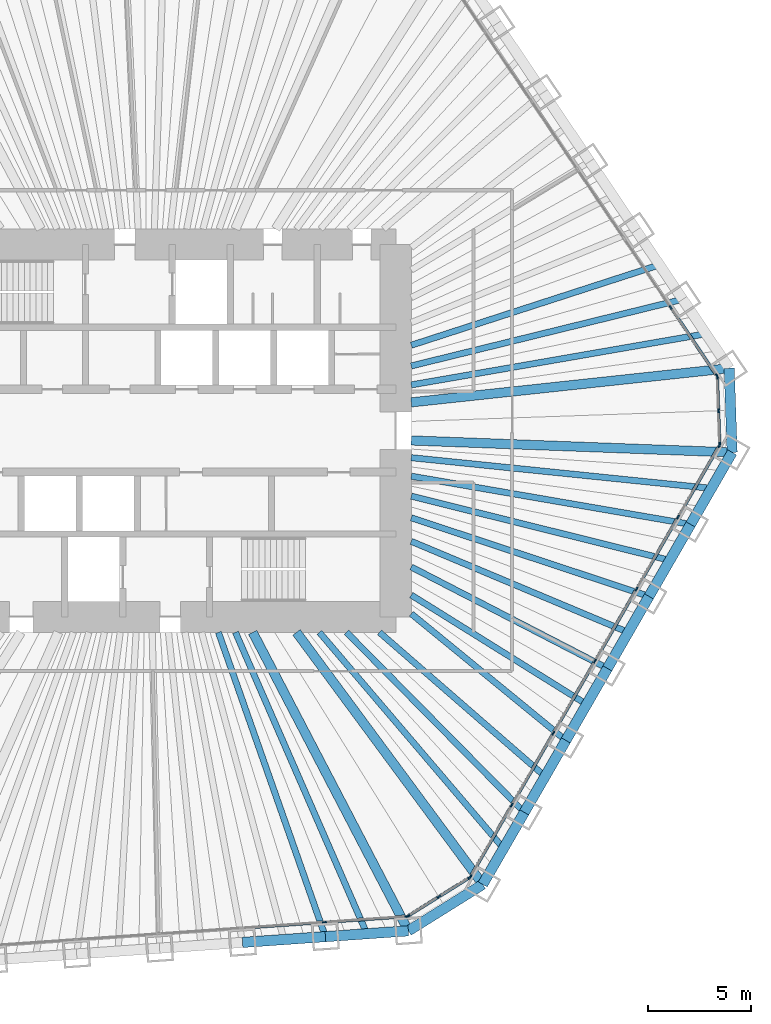
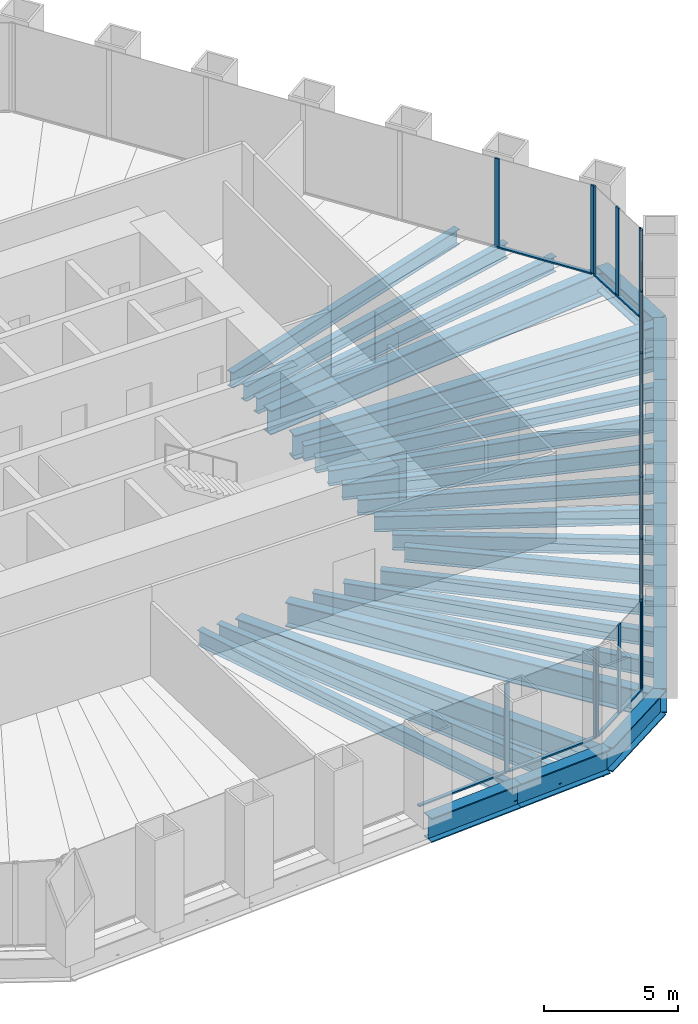
# One storey, part 4 of 13: 30 beams, 30 members, 5 elements without a shape of their own.
"""IFC4 building model written with IfcOpenShell, lengths in metres."""

from ifc_helpers import new_model, si_unit, direction, frame, origin, origin_2d, place, context, subcontext, project, spatial, rectangle, i_section, extrude, material, material_profile, profile_set, type_object, element, aggregate, save


model = new_model("IFC4")

# Units and contexts
model_context = context("Model", 3, precision=1e-05, world=origin(), true_north=direction((0.0, 1.0)))
body_context = subcontext(model_context, "Body", "Model", "MODEL_VIEW")
ifc_project = project(units=[si_unit("LENGTHUNIT", "METRE"), si_unit("AREAUNIT", "SQUARE_METRE"), si_unit("VOLUMEUNIT", "CUBIC_METRE"), si_unit("PLANEANGLEUNIT", "RADIAN"), si_unit("MASSUNIT", "GRAM", prefix="KILO")], contexts=[model_context])

# Site, building, storey
site_placement = place(None, origin())
site = spatial("IfcSite", under=ifc_project, at=site_placement, CompositionType="ELEMENT")
building_placement = place(site_placement, origin())
building = spatial("IfcBuilding", under=site, at=building_placement, Name="Qingtian Harvest Tower", CompositionType="ELEMENT")
storey_placement = place(building_placement, frame((0.0, 0.0, 136.60009765625)))
storey = spatial("IfcBuildingStorey", under=building, at=storey_placement, Name="L28", CompositionType="ELEMENT", Elevation=136.60009765625)

# Beams
ifc_material_1 = material(Name="Steel SM570MC", Category="steel")
ifc_material_profile_1 = material_profile(ifc_material_1, i_section(OverallWidth=0.449951171875, OverallDepth=1.10009765625, WebThickness=0.02197265625, FlangeThickness=0.044921875, at=origin_2d()), Name="H1100x450x22x45")
ifc_profile_set_1 = profile_set([ifc_material_profile_1], Name="Steel SM570MC")
beam_type_1 = type_object("IfcBeamType", Name="Corner floor beam FB8 H1100x450x22x45", PredefinedType="BEAM", material=ifc_profile_set_1)
beam_1_placement = place(storey_placement, frame((28.119384765625, 3.0185546875, -0.72021484375), z_axis=(-0.994287324052, -0.106736672374, 0.0), x_axis=(0.106736672374, -0.994287324052, 0.0)))
element("IfcBeam", 1, at=beam_1_placement, inside=storey, type_object=beam_type_1, Name="Floor beam FB8 NE6", PredefinedType="BEAM", context=body_context, shape_type="SweptSolid", body=[
    extrude(i_section(OverallWidth=0.449951171875, OverallDepth=1.10009765625, WebThickness=0.02197265625, FlangeThickness=0.044921875, at=origin_2d()), origin(), (0.0, 0.0, 1.0), 15.457763671875),
])
beam_2_placement = place(storey_placement, frame((28.261474609375, -1.049560546875, -0.72021484375), z_axis=(-0.999311425285, 0.03710357523, 0.0), x_axis=(-0.03710357523, -0.999311425285, 0.0)))
element("IfcBeam", 2, at=beam_2_placement, inside=storey, type_object=beam_type_1, Name="Floor beam FB8 SE0", PredefinedType="BEAM", context=body_context, shape_type="SweptSolid", body=[
    extrude(i_section(OverallWidth=0.449951171875, OverallDepth=1.10009765625, WebThickness=0.02197265625, FlangeThickness=0.044921875, at=origin_2d()), origin(), (0.0, 0.0, 1.0), 15.522216796875),
])
beam_3_placement = place(storey_placement, frame((16.204345703125, -21.933349609375, -0.72021484375), z_axis=(-0.594215666968, 0.804305751023, 0.0), x_axis=(-0.804305751023, -0.594215666968, 0.0)))
element("IfcBeam", 3, at=beam_3_placement, inside=storey, type_object=beam_type_1, Name="Floor beam FB8 SE6", PredefinedType="BEAM", context=body_context, shape_type="SweptSolid", body=[
    extrude(i_section(OverallWidth=0.449951171875, OverallDepth=1.10009765625, WebThickness=0.02197265625, FlangeThickness=0.044921875, at=origin_2d()), origin(), (0.0, 0.0, 1.0), 15.147705078125),
])
beam_4_placement = place(storey_placement, frame((12.610107421875, -24.17919921875, -0.72021484375), z_axis=(-0.462414751295, 0.886663745613, 0.0), x_axis=(-0.886663745613, -0.462414751295, 0.0)))
element("IfcBeam", 4, at=beam_4_placement, inside=storey, type_object=beam_type_1, Name="Floor beam FB8 S0", PredefinedType="BEAM", context=body_context, shape_type="SweptSolid", body=[
    extrude(i_section(OverallWidth=0.449951171875, OverallDepth=1.10009765625, WebThickness=0.02197265625, FlangeThickness=0.044921875, at=origin_2d()), origin(), (0.0, 0.0, 1.0), 16.273681640625),
])
ifc_material_2 = material(Name="Steel SN490B", Category="steel")
ifc_material_profile_2 = material_profile(ifc_material_2, i_section(OverallWidth=0.300048828125, OverallDepth=0.699951171875, WebThickness=0.012939453125, FlangeThickness=0.02392578125, at=origin_2d()), Name="H700x300x13x24")
ifc_profile_set_2 = profile_set([ifc_material_profile_2], Name="Steel SN490B")
beam_type_2 = type_object("IfcBeamType", Name="Floor beam FB2 H700x300x13x24", PredefinedType="BEAM", material=ifc_profile_set_2)
beam_5_placement = place(storey_placement, frame((25.8720703125, 6.3505859375, -0.52001953125), z_axis=(-0.971170997483, -0.2383839207, 0.0), x_axis=(0.2383839207, -0.971170997483, 0.0)))
element("IfcBeam", 5, at=beam_5_placement, inside=storey, type_object=beam_type_2, Name="Floor beam FB2 NE5", PredefinedType="BEAM", context=body_context, shape_type="SweptSolid", body=[
    extrude(i_section(OverallWidth=0.300048828125, OverallDepth=0.699951171875, WebThickness=0.012939453125, FlangeThickness=0.02392578125, at=origin_2d()), origin(), (0.0, 0.0, 1.0), 13.511474609375),
])
beam_6_placement = place(storey_placement, frame((26.251953125, -4.5302734375, -0.52001953125), z_axis=(-0.985433767107, 0.170059667895, 0.0), x_axis=(-0.170059667895, -0.985433767107, 0.0)))
element("IfcBeam", 6, at=beam_6_placement, inside=storey, type_object=beam_type_2, Name="Floor beam FB2 SE1", PredefinedType="BEAM", context=body_context, shape_type="SweptSolid", body=[
    extrude(i_section(OverallWidth=0.300048828125, OverallDepth=0.699951171875, WebThickness=0.012939453125, FlangeThickness=0.02392578125, at=origin_2d()), origin(), (0.0, 0.0, 1.0), 13.701416015625),
])
beam_7_placement = place(storey_placement, frame((24.242431640625, -8.010986328125, -0.52001953125), z_axis=(-0.949497047328, 0.31377596644, 0.0), x_axis=(-0.31377596644, -0.949497047328, 0.0)))
element("IfcBeam", 7, at=beam_7_placement, inside=storey, type_object=beam_type_2, Name="Floor beam FB2 SE2", PredefinedType="BEAM", context=body_context, shape_type="SweptSolid", body=[
    extrude(i_section(OverallWidth=0.300048828125, OverallDepth=0.699951171875, WebThickness=0.012939453125, FlangeThickness=0.02392578125, at=origin_2d()), origin(), (0.0, 0.0, 1.0), 12.103759765625),
])
beam_8_placement = place(storey_placement, frame((22.23291015625, -11.491455078125, -0.52001953125), z_axis=(-0.888354700773, 0.459157843899, 0.0), x_axis=(-0.459157843899, -0.888354700773, 0.0)))
element("IfcBeam", 8, at=beam_8_placement, inside=storey, type_object=beam_type_2, Name="Floor beam FB2 SE3", PredefinedType="BEAM", context=body_context, shape_type="SweptSolid", body=[
    extrude(i_section(OverallWidth=0.300048828125, OverallDepth=0.699951171875, WebThickness=0.012939453125, FlangeThickness=0.02392578125, at=origin_2d()), origin(), (0.0, 0.0, 1.0), 10.6748046875),
])
beam_9_placement = place(storey_placement, frame((20.223388671875, -14.97216796875, -0.52001953125), z_axis=(-0.773577716445, 0.633701441233, 0.0), x_axis=(-0.633701441233, -0.773577716445, 0.0)))
element("IfcBeam", 9, at=beam_9_placement, inside=storey, type_object=beam_type_2, Name="Floor beam FB2 SE4", PredefinedType="BEAM", context=body_context, shape_type="SweptSolid", body=[
    extrude(i_section(OverallWidth=0.300048828125, OverallDepth=0.699951171875, WebThickness=0.012939453125, FlangeThickness=0.02392578125, at=origin_2d()), origin(), (0.0, 0.0, 1.0), 9.660888671875),
])
beam_10_placement = place(storey_placement, frame((18.2138671875, -18.452880859375, -0.52001953125), z_axis=(-0.702479751847, 0.711703729262, 0.0), x_axis=(-0.711703729262, -0.702479751847, 0.0)))
element("IfcBeam", 10, at=beam_10_placement, inside=storey, type_object=beam_type_2, Name="Floor beam FB2 SE5", PredefinedType="BEAM", context=body_context, shape_type="SweptSolid", body=[
    extrude(i_section(OverallWidth=0.300048828125, OverallDepth=0.699951171875, WebThickness=0.012939453125, FlangeThickness=0.02392578125, at=origin_2d()), origin(), (0.0, 0.0, 1.0), 12.228271484375),
])
beam_11_placement = place(storey_placement, frame((8.600830078125, -24.459716796875, -0.52001953125), z_axis=(-0.331719146802, 0.943378189087, 0.0), x_axis=(-0.943378189087, -0.331719146802, 0.0)))
element("IfcBeam", 11, at=beam_11_placement, inside=storey, type_object=beam_type_2, Name="Floor beam FB2 S1", PredefinedType="BEAM", context=body_context, shape_type="SweptSolid", body=[
    extrude(i_section(OverallWidth=0.300048828125, OverallDepth=0.699951171875, WebThickness=0.012939453125, FlangeThickness=0.02392578125, at=origin_2d()), origin(), (0.0, 0.0, 1.0), 15.592529296875),
])
ifc_material_3 = material(Name="Steel SN490B", Category="steel")
ifc_material_profile_3 = material_profile(ifc_material_3, i_section(OverallWidth=0.300048828125, OverallDepth=0.699951171875, WebThickness=0.012939453125, FlangeThickness=0.02392578125, at=origin_2d()), Name="H700x300x13x24")
ifc_profile_set_3 = profile_set([ifc_material_profile_3], Name="Steel SN490B")
beam_type_3 = type_object("IfcBeamType", Name="Floor joist J2 H700x300x13x24", PredefinedType="JOIST", material=ifc_profile_set_3)
beam_12_placement = place(storey_placement, frame((24.748291015625, 8.016357421875, -0.52001953125), z_axis=(-0.951335907519, -0.308155790249, 0.0), x_axis=(0.308155790249, -0.951335907519, 0.0)))
element("IfcBeam", 12, at=beam_12_placement, inside=storey, type_object=beam_type_3, Name="Floor joist J2 NE4", PredefinedType="JOIST", context=body_context, shape_type="SweptSolid", body=[
    extrude(i_section(OverallWidth=0.300048828125, OverallDepth=0.699951171875, WebThickness=0.012939453125, FlangeThickness=0.02392578125, at=origin_2d()), origin(), (0.0, 0.0, 1.0), 12.612060546875),
])
beam_13_placement = place(storey_placement, frame((26.99560546875, 4.6845703125, -0.52001953125), z_axis=(-0.985273903188, -0.17098343691, 0.0), x_axis=(0.17098343691, -0.985273903188, 0.0)))
element("IfcBeam", 13, at=beam_13_placement, inside=storey, type_object=beam_type_3, Name="Floor joist J2 NE5", PredefinedType="JOIST", context=body_context, shape_type="SweptSolid", body=[
    extrude(i_section(OverallWidth=0.300048828125, OverallDepth=0.699951171875, WebThickness=0.012939453125, FlangeThickness=0.02392578125, at=origin_2d()), origin(), (0.0, 0.0, 1.0), 14.45849609375),
])
beam_14_placement = place(storey_placement, frame((27.2568359375, -2.7900390625, -0.52001953125), z_axis=(-0.994802418411, 0.101824104826, 0.0), x_axis=(-0.101824104826, -0.994802418411, 0.0)))
element("IfcBeam", 14, at=beam_14_placement, inside=storey, type_object=beam_type_3, Name="Floor joist J2 SE0", PredefinedType="JOIST", context=body_context, shape_type="SweptSolid", body=[
    extrude(i_section(OverallWidth=0.300048828125, OverallDepth=0.699951171875, WebThickness=0.012939453125, FlangeThickness=0.02392578125, at=origin_2d()), origin(), (0.0, 0.0, 1.0), 14.58251953125),
])
beam_15_placement = place(storey_placement, frame((25.247314453125, -6.2705078125, -0.52001953125), z_axis=(-0.970517179244, 0.241031958032, 0.0), x_axis=(-0.241031958032, -0.970517179244, 0.0)))
element("IfcBeam", 15, at=beam_15_placement, inside=storey, type_object=beam_type_3, Name="Floor joist J2 SE1", PredefinedType="JOIST", context=body_context, shape_type="SweptSolid", body=[
    extrude(i_section(OverallWidth=0.300048828125, OverallDepth=0.699951171875, WebThickness=0.012939453125, FlangeThickness=0.02392578125, at=origin_2d()), origin(), (0.0, 0.0, 1.0), 12.876953125),
])
beam_16_placement = place(storey_placement, frame((23.237548828125, -9.751220703125, -0.52001953125), z_axis=(-0.922104219626, 0.386941608189, 0.0), x_axis=(-0.386941608189, -0.922104219626, 0.0)))
element("IfcBeam", 16, at=beam_16_placement, inside=storey, type_object=beam_type_3, Name="Floor joist J2 SE2", PredefinedType="JOIST", context=body_context, shape_type="SweptSolid", body=[
    extrude(i_section(OverallWidth=0.300048828125, OverallDepth=0.699951171875, WebThickness=0.012939453125, FlangeThickness=0.02392578125, at=origin_2d()), origin(), (0.0, 0.0, 1.0), 11.37353515625),
])
beam_17_placement = place(storey_placement, frame((21.22802734375, -13.23193359375, -0.52001953125), z_axis=(-0.848631984892, 0.528983699389, 0.0), x_axis=(-0.528983699389, -0.848631984892, 0.0)))
element("IfcBeam", 17, at=beam_17_placement, inside=storey, type_object=beam_type_3, Name="Floor joist J2 SE3", PredefinedType="JOIST", context=body_context, shape_type="SweptSolid", body=[
    extrude(i_section(OverallWidth=0.300048828125, OverallDepth=0.699951171875, WebThickness=0.012939453125, FlangeThickness=0.02392578125, at=origin_2d()), origin(), (0.0, 0.0, 1.0), 9.990234375),
])
beam_18_placement = place(storey_placement, frame((19.218505859375, -16.71240234375, -0.52001953125), z_axis=(-0.754588679317, 0.656198083697, 0.0), x_axis=(-0.656198083697, -0.754588679317, 0.0)))
element("IfcBeam", 18, at=beam_18_placement, inside=storey, type_object=beam_type_3, Name="Floor joist J2 SE4", PredefinedType="JOIST", context=body_context, shape_type="SweptSolid", body=[
    extrude(i_section(OverallWidth=0.300048828125, OverallDepth=0.699951171875, WebThickness=0.012939453125, FlangeThickness=0.02392578125, at=origin_2d()), origin(), (0.0, 0.0, 1.0), 10.610107421875),
])
beam_19_placement = place(storey_placement, frame((17.208984375, -20.193115234375, -0.52001953125), z_axis=(-0.648631797865, 0.76110235238, 0.0), x_axis=(-0.76110235238, -0.648631797865, 0.0)))
element("IfcBeam", 19, at=beam_19_placement, inside=storey, type_object=beam_type_3, Name="Floor joist J2 SE5", PredefinedType="JOIST", context=body_context, shape_type="SweptSolid", body=[
    extrude(i_section(OverallWidth=0.300048828125, OverallDepth=0.699951171875, WebThickness=0.012939453125, FlangeThickness=0.02392578125, at=origin_2d()), origin(), (0.0, 0.0, 1.0), 13.720947265625),
])
beam_20_placement = place(storey_placement, frame((10.60546875, -24.3193359375, -0.52001953125), z_axis=(-0.399732363577, 0.916631898588, 0.0), x_axis=(-0.916631898588, -0.399732363577, 0.0)))
element("IfcBeam", 20, at=beam_20_placement, inside=storey, type_object=beam_type_3, Name="Floor joist J2 S0", PredefinedType="JOIST", context=body_context, shape_type="SweptSolid", body=[
    extrude(i_section(OverallWidth=0.300048828125, OverallDepth=0.699951171875, WebThickness=0.012939453125, FlangeThickness=0.02392578125, at=origin_2d()), origin(), (0.0, 0.0, 1.0), 15.89453125),
])

# Curtain wall, members
ifc_material_4 = material(Name="Bronze-anodised aluminium curtain wall", Category="aluminium")
curtain_wall_type = type_object("IfcCurtainWallType", Name="Curtain wall CW4 office", PredefinedType="USERDEFINED", material=ifc_material_4)
curtain_wall_1_placement = place(storey_placement, origin())
curtain_wall_1 = element("IfcCurtainWall", 21, at=curtain_wall_1_placement, inside=storey, type_object=curtain_wall_type, Name="Curtain wall CW4 L28 NE0-5", ObjectType="RECESSED CURTAIN WALL", PredefinedType="USERDEFINED")
ifc_material_5 = material(Name="Bronze-anodised aluminium mullion", Category="aluminium")
ifc_material_profile_4 = material_profile(ifc_material_5, rectangle(XDim=0.06494140625, YDim=0.199951171875, at=origin_2d()), Name="AL 65x200")
ifc_profile_set_4 = profile_set([ifc_material_profile_4], Name="Bronze-anodised aluminium mullion")
member_type_1 = type_object("IfcMemberType", Name="Mullion CWM 65x200", PredefinedType="MULLION", material=ifc_profile_set_4)
member_1_placement = place(storey_placement, frame((25.291748046875, 5.958984375, 0.0), z_axis=(0.0, 0.0, 1.0), x_axis=(0.829037572555, 0.559192903471, 0.0)))
member_1 = element("IfcMember", 22, at=member_1_placement, type_object=member_type_1, Name="CW4 mullion 6", PredefinedType="MULLION", context=body_context, shape_type="SweptSolid", body=[
    extrude(rectangle(XDim=0.06494140625, YDim=0.199951171875, at=origin_2d()), origin(), (0.0, 0.0, 1.0), 4.02978515625),
])
member_2_placement = place(storey_placement, frame((27.52099609375, 2.654052734375, 0.0), z_axis=(0.0, 0.0, 1.0), x_axis=(0.829037572555, 0.559192903471, 0.0)))
member_2 = element("IfcMember", 23, at=member_2_placement, type_object=member_type_1, Name="CW4 mullion 7", PredefinedType="MULLION", context=body_context, shape_type="SweptSolid", body=[
    extrude(rectangle(XDim=0.06494140625, YDim=0.199951171875, at=origin_2d()), origin(), (0.0, 0.0, 1.0), 4.02978515625),
])

curtain_wall_2_placement = place(storey_placement, origin())
curtain_wall_2 = element("IfcCurtainWall", 24, at=curtain_wall_2_placement, inside=storey, type_object=curtain_wall_type, Name="Curtain wall CW4 L28 NEC", ObjectType="RECESSED CURTAIN WALL", PredefinedType="USERDEFINED")
member_3_placement = place(storey_placement, frame((27.540283203125, 2.594482421875, 0.0), z_axis=(0.0, 0.0, 1.0), x_axis=(0.999390827019, 0.034899496703, 0.0)))
member_3 = element("IfcMember", 25, at=member_3_placement, type_object=member_type_1, Name="CW4 mullion 1", PredefinedType="MULLION", context=body_context, shape_type="SweptSolid", body=[
    extrude(rectangle(XDim=0.06494140625, YDim=0.199951171875, at=origin_2d()), origin(), (0.0, 0.0, 1.0), 4.02978515625),
])
member_4_placement = place(storey_placement, frame((27.59716796875, 0.963623046875, 0.0), z_axis=(0.0, 0.0, 1.0), x_axis=(0.999390827019, 0.034899496703, 0.0)))
member_4 = element("IfcMember", 26, at=member_4_placement, type_object=member_type_1, Name="CW4 mullion 2", PredefinedType="MULLION", context=body_context, shape_type="SweptSolid", body=[
    extrude(rectangle(XDim=0.06494140625, YDim=0.199951171875, at=origin_2d()), origin(), (0.0, 0.0, 1.0), 4.02978515625),
])
member_5_placement = place(storey_placement, frame((27.654052734375, -0.667236328125, 0.0), z_axis=(0.0, 0.0, 1.0), x_axis=(0.999390827019, 0.034899496703, 0.0)))
member_5 = element("IfcMember", 27, at=member_5_placement, type_object=member_type_1, Name="CW4 mullion 3", PredefinedType="MULLION", context=body_context, shape_type="SweptSolid", body=[
    extrude(rectangle(XDim=0.06494140625, YDim=0.199951171875, at=origin_2d()), origin(), (0.0, 0.0, 1.0), 4.02978515625),
])

curtain_wall_3_placement = place(storey_placement, origin())
curtain_wall_3 = element("IfcCurtainWall", 28, at=curtain_wall_3_placement, inside=storey, type_object=curtain_wall_type, Name="Curtain wall CW4 L28 SE0-5", ObjectType="RECESSED CURTAIN WALL", PredefinedType="USERDEFINED")
member_6_placement = place(storey_placement, frame((27.638916015625, -0.727783203125, 0.0), z_axis=(0.0, 0.0, 1.0), x_axis=(0.866025403784, -0.5, 0.0)))
member_6 = element("IfcMember", 29, at=member_6_placement, type_object=member_type_1, Name="CW4 mullion 1", PredefinedType="MULLION", context=body_context, shape_type="SweptSolid", body=[
    extrude(rectangle(XDim=0.06494140625, YDim=0.199951171875, at=origin_2d()), origin(), (0.0, 0.0, 1.0), 4.02978515625),
])
member_7_placement = place(storey_placement, frame((25.645751953125, -4.18017578125, 0.0), z_axis=(0.0, 0.0, 1.0), x_axis=(0.866025403784, -0.5, 0.0)))
member_7 = element("IfcMember", 30, at=member_7_placement, type_object=member_type_1, Name="CW4 mullion 2", PredefinedType="MULLION", context=body_context, shape_type="SweptSolid", body=[
    extrude(rectangle(XDim=0.06494140625, YDim=0.199951171875, at=origin_2d()), origin(), (0.0, 0.0, 1.0), 4.02978515625),
])
member_8_placement = place(storey_placement, frame((23.63623046875, -7.660888671875, 0.0), z_axis=(0.0, 0.0, 1.0), x_axis=(0.866025403784, -0.5, 0.0)))
member_8 = element("IfcMember", 31, at=member_8_placement, type_object=member_type_1, Name="CW4 mullion 3", PredefinedType="MULLION", context=body_context, shape_type="SweptSolid", body=[
    extrude(rectangle(XDim=0.06494140625, YDim=0.199951171875, at=origin_2d()), origin(), (0.0, 0.0, 1.0), 4.02978515625),
])
member_9_placement = place(storey_placement, frame((21.626708984375, -11.1416015625, 0.0), z_axis=(0.0, 0.0, 1.0), x_axis=(0.866025403784, -0.5, 0.0)))
member_9 = element("IfcMember", 32, at=member_9_placement, type_object=member_type_1, Name="CW4 mullion 4", PredefinedType="MULLION", context=body_context, shape_type="SweptSolid", body=[
    extrude(rectangle(XDim=0.06494140625, YDim=0.199951171875, at=origin_2d()), origin(), (0.0, 0.0, 1.0), 4.02978515625),
])
member_10_placement = place(storey_placement, frame((19.6171875, -14.6220703125, 0.0), z_axis=(0.0, 0.0, 1.0), x_axis=(0.866025403784, -0.5, 0.0)))
member_10 = element("IfcMember", 33, at=member_10_placement, type_object=member_type_1, Name="CW4 mullion 5", PredefinedType="MULLION", context=body_context, shape_type="SweptSolid", body=[
    extrude(rectangle(XDim=0.06494140625, YDim=0.199951171875, at=origin_2d()), origin(), (0.0, 0.0, 1.0), 4.02978515625),
])
member_11_placement = place(storey_placement, frame((17.607666015625, -18.102783203125, 0.0), z_axis=(0.0, 0.0, 1.0), x_axis=(0.866025403784, -0.5, 0.0)))
member_11 = element("IfcMember", 34, at=member_11_placement, type_object=member_type_1, Name="CW4 mullion 6", PredefinedType="MULLION", context=body_context, shape_type="SweptSolid", body=[
    extrude(rectangle(XDim=0.06494140625, YDim=0.199951171875, at=origin_2d()), origin(), (0.0, 0.0, 1.0), 4.02978515625),
])
member_12_placement = place(storey_placement, frame((15.6142578125, -21.55517578125, 0.0), z_axis=(0.0, 0.0, 1.0), x_axis=(0.866025403784, -0.5, 0.0)))
member_12 = element("IfcMember", 35, at=member_12_placement, type_object=member_type_1, Name="CW4 mullion 7", PredefinedType="MULLION", context=body_context, shape_type="SweptSolid", body=[
    extrude(rectangle(XDim=0.06494140625, YDim=0.199951171875, at=origin_2d()), origin(), (0.0, 0.0, 1.0), 4.02978515625),
])

curtain_wall_4_placement = place(storey_placement, origin())
curtain_wall_4 = element("IfcCurtainWall", 36, at=curtain_wall_4_placement, inside=storey, type_object=curtain_wall_type, Name="Curtain wall CW4 L28 SEC", ObjectType="RECESSED CURTAIN WALL", PredefinedType="USERDEFINED")
member_13_placement = place(storey_placement, frame((15.570556640625, -21.6005859375, 0.0), z_axis=(0.0, 0.0, 1.0), x_axis=(0.529919264233, -0.848048096156, 0.0)))
member_13 = element("IfcMember", 37, at=member_13_placement, type_object=member_type_1, Name="CW4 mullion 1", PredefinedType="MULLION", context=body_context, shape_type="SweptSolid", body=[
    extrude(rectangle(XDim=0.06494140625, YDim=0.199951171875, at=origin_2d()), origin(), (0.0, 0.0, 1.0), 4.02978515625),
])
member_14_placement = place(storey_placement, frame((14.07958984375, -22.5322265625, 0.0), z_axis=(0.0, 0.0, 1.0), x_axis=(0.529919264233, -0.848048096156, 0.0)))
member_14 = element("IfcMember", 38, at=member_14_placement, type_object=member_type_1, Name="CW4 mullion 2", PredefinedType="MULLION", context=body_context, shape_type="SweptSolid", body=[
    extrude(rectangle(XDim=0.06494140625, YDim=0.199951171875, at=origin_2d()), origin(), (0.0, 0.0, 1.0), 4.02978515625),
])
member_15_placement = place(storey_placement, frame((12.5888671875, -23.4638671875, 0.0), z_axis=(0.0, 0.0, 1.0), x_axis=(0.529919264233, -0.848048096156, 0.0)))
member_15 = element("IfcMember", 39, at=member_15_placement, type_object=member_type_1, Name="CW4 mullion 3", PredefinedType="MULLION", context=body_context, shape_type="SweptSolid", body=[
    extrude(rectangle(XDim=0.06494140625, YDim=0.199951171875, at=origin_2d()), origin(), (0.0, 0.0, 1.0), 4.02978515625),
])

curtain_wall_5_placement = place(storey_placement, origin())
curtain_wall_5 = element("IfcCurtainWall", 40, at=curtain_wall_5_placement, inside=storey, type_object=curtain_wall_type, Name="Curtain wall CW4 L28 S0-5", ObjectType="RECESSED CURTAIN WALL", PredefinedType="USERDEFINED")
member_16_placement = place(storey_placement, frame((12.52880859375, -23.483154296875, 0.0), z_axis=(0.0, 0.0, 1.0), x_axis=(0.069756473744, -0.99756405026, 0.0)))
member_16 = element("IfcMember", 41, at=member_16_placement, type_object=member_type_1, Name="CW4 mullion 1", PredefinedType="MULLION", context=body_context, shape_type="SweptSolid", body=[
    extrude(rectangle(XDim=0.06494140625, YDim=0.199951171875, at=origin_2d()), origin(), (0.0, 0.0, 1.0), 4.02978515625),
])
member_17_placement = place(storey_placement, frame((8.552001953125, -23.76123046875, 0.0), z_axis=(0.0, 0.0, 1.0), x_axis=(0.069756473744, -0.99756405026, 0.0)))
member_17 = element("IfcMember", 42, at=member_17_placement, type_object=member_type_1, Name="CW4 mullion 2", PredefinedType="MULLION", context=body_context, shape_type="SweptSolid", body=[
    extrude(rectangle(XDim=0.06494140625, YDim=0.199951171875, at=origin_2d()), origin(), (0.0, 0.0, 1.0), 4.02978515625),
])

# Beams
ifc_material_6 = material(Name="Steel SM570MC", Category="steel")
ifc_material_profile_5 = material_profile(ifc_material_6, i_section(OverallWidth=0.5, OverallDepth=1.10009765625, WebThickness=0.02490234375, FlangeThickness=0.050048828125, at=origin_2d()), Name="H1100x500x25x50")
ifc_profile_set_5 = profile_set([ifc_material_profile_5], Name="Steel SM570MC")
beam_type_4 = type_object("IfcBeamType", Name="Spandrel beam SB2 H1100x500x25x50", PredefinedType="SPANDREL", material=ifc_profile_set_5)
beam_21_placement = place(storey_placement, frame((28.119384765625, 3.0185546875, -0.550048828125), z_axis=(0.03490639867, -0.999390585973, 0.0), x_axis=(0.999390585973, 0.03490639867, 0.0)))
element("IfcBeam", 43, at=beam_21_placement, inside=storey, type_object=beam_type_4, Name="Spandrel SB2 NEC", PredefinedType="SPANDREL", context=body_context, shape_type="SweptSolid", body=[
    extrude(i_section(OverallWidth=0.5, OverallDepth=1.10009765625, WebThickness=0.02490234375, FlangeThickness=0.050048828125, at=origin_2d()), origin(), (0.0, 0.0, 1.0), 4.070556640625),
])
for number, where, z_axis, x_axis, name in (
    (44, (28.261474609375, -1.049560546875, -0.550048828125), (-0.499987116613, -0.866032841884, 0.0), (0.866032841884, -0.499987116613, 0.0), "Spandrel SB2 SE0"),
    (45, (26.251953125, -4.5302734375, -0.550048828125), (-0.499987116613, -0.866032841884, 0.0), (0.866032841884, -0.499987116613, 0.0), "Spandrel SB2 SE1"),
    (46, (24.242431640625, -8.010986328125, -0.550048828125), (-0.500013420409, -0.866017655369, 0.0), (0.866017655369, -0.500013420409, 0.0), "Spandrel SB2 SE2"),
    (47, (22.23291015625, -11.491455078125, -0.550048828125), (-0.499987116613, -0.866032841884, 0.0), (0.866032841884, -0.499987116613, 0.0), "Spandrel SB2 SE3"),
    (48, (20.223388671875, -14.97216796875, -0.550048828125), (-0.499987116613, -0.866032841884, 0.0), (0.866032841884, -0.499987116613, 0.0), "Spandrel SB2 SE4"),
    (49, (18.2138671875, -18.452880859375, -0.550048828125), (-0.500013420409, -0.866017655369, 0.0), (0.866017655369, -0.500013420409, 0.0), "Spandrel SB2 SE5"),
):
    element("IfcBeam", number, at=place(storey_placement, frame(where, z_axis=z_axis, x_axis=x_axis)), inside=storey, type_object=beam_type_4, Name=name, PredefinedType="SPANDREL", context=body_context, shape_type="SweptSolid", body=[
        extrude(i_section(OverallWidth=0.5, OverallDepth=1.10009765625, WebThickness=0.02490234375, FlangeThickness=0.050048828125, at=origin_2d()), origin(), (0.0, 0.0, 1.0), 4.01904296875),
    ])
beam_22_placement = place(storey_placement, frame((16.204345703125, -21.933349609375, -0.550048828125), z_axis=(-0.848056550838, -0.529905733675, 0.0), x_axis=(0.529905733675, -0.848056550838, 0.0)))
element("IfcBeam", 50, at=beam_22_placement, inside=storey, type_object=beam_type_4, Name="Spandrel SB2 SEC", PredefinedType="SPANDREL", context=body_context, shape_type="SweptSolid", body=[
    extrude(i_section(OverallWidth=0.5, OverallDepth=1.10009765625, WebThickness=0.02490234375, FlangeThickness=0.050048828125, at=origin_2d()), origin(), (0.0, 0.0, 1.0), 4.23828125),
])
for number, where, z_axis, x_axis, name in (
    (51, (12.610107421875, -24.17919921875, -0.550048828125), (-0.997561251588, -0.069796485086, 0.0), (0.069796485086, -0.997561251588, 0.0), "Spandrel SB2 S0"),
    (52, (8.600830078125, -24.459716796875, -0.550048828125), (-0.997565479251, -0.069736035208, 0.0), (0.069736035208, -0.997565479251, 0.0), "Spandrel SB2 S1"),
):
    element("IfcBeam", number, at=place(storey_placement, frame(where, z_axis=z_axis, x_axis=x_axis)), inside=storey, type_object=beam_type_4, Name=name, PredefinedType="SPANDREL", context=body_context, shape_type="SweptSolid", body=[
        extrude(i_section(OverallWidth=0.5, OverallDepth=1.10009765625, WebThickness=0.02490234375, FlangeThickness=0.050048828125, at=origin_2d()), origin(), (0.0, 0.0, 1.0), 4.01904296875),
    ])

# Member
ifc_material_7 = material(Name="Bronze-anodised aluminium transom", Category="aluminium")
ifc_material_profile_6 = material_profile(ifc_material_7, rectangle(XDim=0.14990234375, YDim=0.06494140625, at=origin_2d()), Name="AL 65x150")
ifc_profile_set_6 = profile_set([ifc_material_profile_6], Name="Bronze-anodised aluminium transom")
member_type_2 = type_object("IfcMemberType", Name="Transom CWT 65x150", PredefinedType="USERDEFINED", material=ifc_profile_set_6)
member_18_placement = place(storey_placement, frame((25.309814453125, 5.93212890625, 0.032470703125), z_axis=(0.559174507936, -0.829049980203, 0.0), x_axis=(0.829049980203, 0.559174507936, 0.0)))
member_18 = element("IfcMember", 53, at=member_18_placement, type_object=member_type_2, Name="CW4 transom 6.1", ObjectType="TRANSOM", PredefinedType="USERDEFINED", context=body_context, shape_type="SweptSolid", body=[
    extrude(rectangle(XDim=0.14990234375, YDim=0.06494140625, at=origin_2d()), origin(), (0.0, 0.0, 1.0), 3.921630859375),
])

aggregate(curtain_wall_1, [member_1, member_2, member_18])

member_19_placement = place(storey_placement, frame((27.541259765625, 2.56201171875, 0.032470703125), z_axis=(0.034902326647, -0.999390728191, 0.0), x_axis=(0.999390728191, 0.034902326647, 0.0)))
member_19 = element("IfcMember", 54, at=member_19_placement, type_object=member_type_2, Name="CW4 transom 1.1", ObjectType="TRANSOM", PredefinedType="USERDEFINED", context=body_context, shape_type="SweptSolid", body=[
    extrude(rectangle(XDim=0.14990234375, YDim=0.06494140625, at=origin_2d()), origin(), (0.0, 0.0, 1.0), 1.56689453125),
])

member_20_placement = place(storey_placement, frame((27.598388671875, 0.93115234375, 0.032470703125), z_axis=(0.034902326647, -0.999390728191, 0.0), x_axis=(0.999390728191, 0.034902326647, 0.0)))
member_20 = element("IfcMember", 55, at=member_20_placement, type_object=member_type_2, Name="CW4 transom 2.1", ObjectType="TRANSOM", PredefinedType="USERDEFINED", context=body_context, shape_type="SweptSolid", body=[
    extrude(rectangle(XDim=0.14990234375, YDim=0.06494140625, at=origin_2d()), origin(), (0.0, 0.0, 1.0), 1.56689453125),
])

aggregate(curtain_wall_2, [member_3, member_4, member_5, member_19, member_20])

member_21_placement = place(storey_placement, frame((27.622802734375, -0.755859375, 0.032470703125), z_axis=(-0.499975738995, -0.866039410429, 0.0), x_axis=(0.866039410429, -0.499975738995, 0.0)))
member_21 = element("IfcMember", 56, at=member_21_placement, type_object=member_type_2, Name="CW4 transom 1.1", ObjectType="TRANSOM", PredefinedType="USERDEFINED", context=body_context, shape_type="SweptSolid", body=[
    extrude(rectangle(XDim=0.14990234375, YDim=0.06494140625, at=origin_2d()), origin(), (0.0, 0.0, 1.0), 3.921630859375),
])

member_22_placement = place(storey_placement, frame((25.62939453125, -4.20849609375, 0.032470703125), z_axis=(-0.500003941941, -0.866023127892, 0.0), x_axis=(0.866023127892, -0.500003941941, 0.0)))
member_22 = element("IfcMember", 57, at=member_22_placement, type_object=member_type_2, Name="CW4 transom 2.1", ObjectType="TRANSOM", PredefinedType="USERDEFINED", context=body_context, shape_type="SweptSolid", body=[
    extrude(rectangle(XDim=0.14990234375, YDim=0.06494140625, at=origin_2d()), origin(), (0.0, 0.0, 1.0), 3.9541015625),
])

member_23_placement = place(storey_placement, frame((23.619873046875, -7.68896484375, 0.032470703125), z_axis=(-0.500003941941, -0.866023127892, 0.0), x_axis=(0.866023127892, -0.500003941941, 0.0)))
member_23 = element("IfcMember", 58, at=member_23_placement, type_object=member_type_2, Name="CW4 transom 3.1", ObjectType="TRANSOM", PredefinedType="USERDEFINED", context=body_context, shape_type="SweptSolid", body=[
    extrude(rectangle(XDim=0.14990234375, YDim=0.06494140625, at=origin_2d()), origin(), (0.0, 0.0, 1.0), 3.9541015625),
])

member_24_placement = place(storey_placement, frame((21.6103515625, -11.169677734375, 0.032470703125), z_axis=(-0.500003941941, -0.866023127892, 0.0), x_axis=(0.866023127892, -0.500003941941, 0.0)))
member_24 = element("IfcMember", 59, at=member_24_placement, type_object=member_type_2, Name="CW4 transom 4.1", ObjectType="TRANSOM", PredefinedType="USERDEFINED", context=body_context, shape_type="SweptSolid", body=[
    extrude(rectangle(XDim=0.14990234375, YDim=0.06494140625, at=origin_2d()), origin(), (0.0, 0.0, 1.0), 3.9541015625),
])

member_25_placement = place(storey_placement, frame((19.600830078125, -14.650390625, 0.032470703125), z_axis=(-0.500003941941, -0.866023127892, 0.0), x_axis=(0.866023127892, -0.500003941941, 0.0)))
member_25 = element("IfcMember", 60, at=member_25_placement, type_object=member_type_2, Name="CW4 transom 5.1", ObjectType="TRANSOM", PredefinedType="USERDEFINED", context=body_context, shape_type="SweptSolid", body=[
    extrude(rectangle(XDim=0.14990234375, YDim=0.06494140625, at=origin_2d()), origin(), (0.0, 0.0, 1.0), 3.9541015625),
])

member_26_placement = place(storey_placement, frame((17.59130859375, -18.130859375, 0.032470703125), z_axis=(-0.499975738995, -0.866039410429, 0.0), x_axis=(0.866039410429, -0.499975738995, 0.0)))
member_26 = element("IfcMember", 61, at=member_26_placement, type_object=member_type_2, Name="CW4 transom 6.1", ObjectType="TRANSOM", PredefinedType="USERDEFINED", context=body_context, shape_type="SweptSolid", body=[
    extrude(rectangle(XDim=0.14990234375, YDim=0.06494140625, at=origin_2d()), origin(), (0.0, 0.0, 1.0), 3.921630859375),
])

aggregate(curtain_wall_3, [member_6, member_7, member_8, member_9, member_10, member_11, member_12, member_21, member_22, member_23, member_24, member_25, member_26])

member_27_placement = place(storey_placement, frame((15.54296875, -21.617919921875, 0.032470703125), z_axis=(-0.848103609743, -0.529830413568, 0.0), x_axis=(0.529830413568, -0.848103609743, 0.0)))
member_27 = element("IfcMember", 62, at=member_27_placement, type_object=member_type_2, Name="CW4 transom 1.1", ObjectType="TRANSOM", PredefinedType="USERDEFINED", context=body_context, shape_type="SweptSolid", body=[
    extrude(rectangle(XDim=0.14990234375, YDim=0.06494140625, at=origin_2d()), origin(), (0.0, 0.0, 1.0), 1.69287109375),
])

member_28_placement = place(storey_placement, frame((14.052001953125, -22.54931640625, 0.032470703125), z_axis=(-0.847998304005, -0.529998940003, 0.0), x_axis=(0.529998940003, -0.847998304005, 0.0)))
member_28 = element("IfcMember", 63, at=member_28_placement, type_object=member_type_2, Name="CW4 transom 2.1", ObjectType="TRANSOM", PredefinedType="USERDEFINED", context=body_context, shape_type="SweptSolid", body=[
    extrude(rectangle(XDim=0.14990234375, YDim=0.06494140625, at=origin_2d()), origin(), (0.0, 0.0, 1.0), 1.69287109375),
])

aggregate(curtain_wall_4, [member_13, member_14, member_15, member_27, member_28])

member_29_placement = place(storey_placement, frame((12.496337890625, -23.485595703125, 0.032470703125), z_axis=(-0.99756594446, -0.069729380128, 0.0), x_axis=(0.069729380128, -0.99756594446, 0.0)))
member_29 = element("IfcMember", 64, at=member_29_placement, type_object=member_type_2, Name="CW4 transom 1.1", ObjectType="TRANSOM", PredefinedType="USERDEFINED", context=body_context, shape_type="SweptSolid", body=[
    extrude(rectangle(XDim=0.14990234375, YDim=0.06494140625, at=origin_2d()), origin(), (0.0, 0.0, 1.0), 3.92138671875),
])

member_30_placement = place(storey_placement, frame((8.51953125, -23.763671875, 0.032470703125), z_axis=(-0.997567218353, -0.069711153102, 0.0), x_axis=(0.069711153102, -0.997567218353, 0.0)))
member_30 = element("IfcMember", 65, at=member_30_placement, type_object=member_type_2, Name="CW4 transom 2.1", ObjectType="TRANSOM", PredefinedType="USERDEFINED", context=body_context, shape_type="SweptSolid", body=[
    extrude(rectangle(XDim=0.14990234375, YDim=0.06494140625, at=origin_2d()), origin(), (0.0, 0.0, 1.0), 3.953857421875),
])

aggregate(curtain_wall_5, [member_16, member_17, member_29, member_30])

save(model, "model.ifc")
